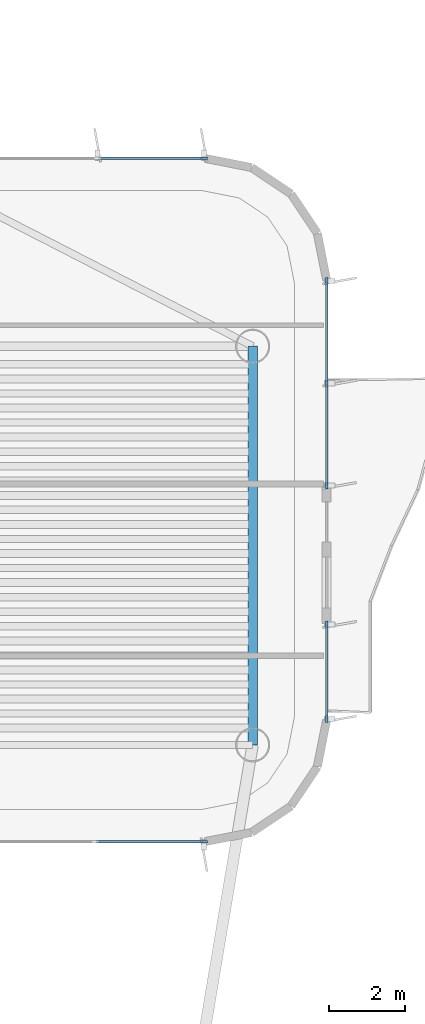
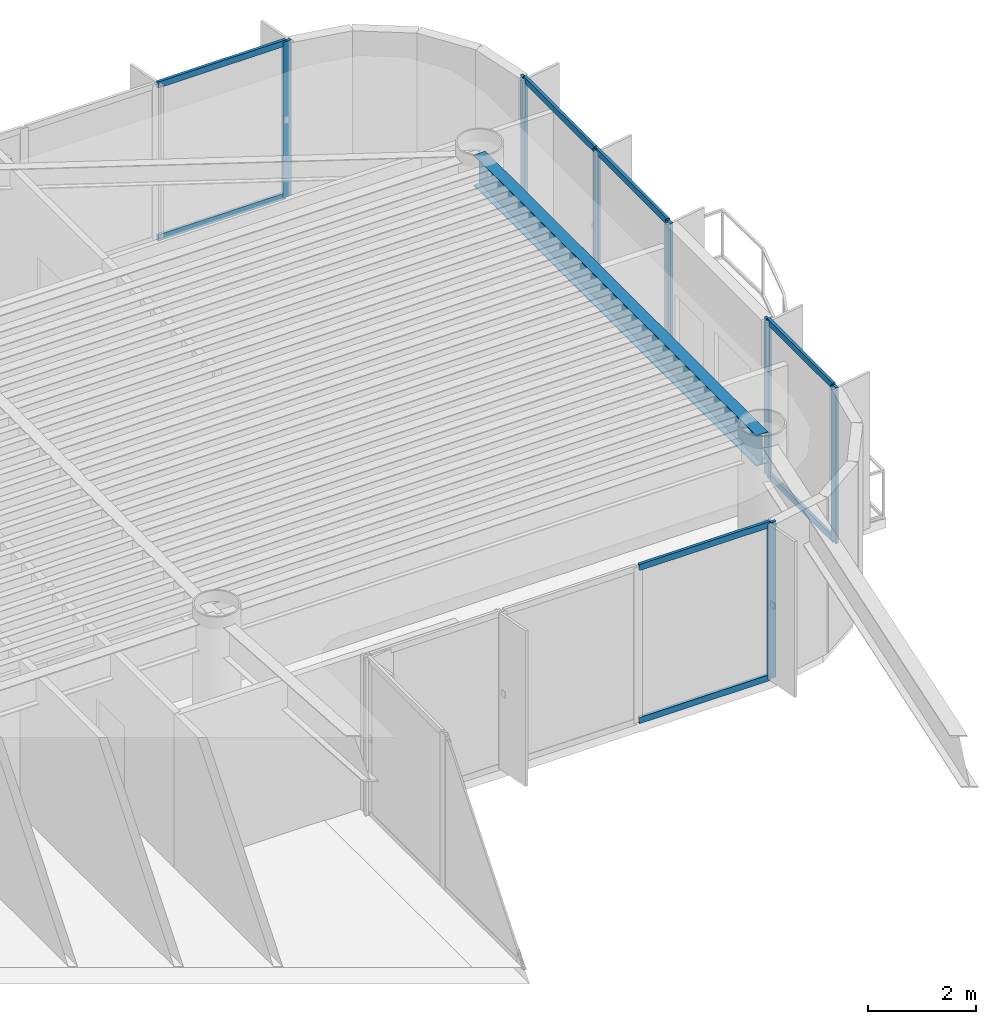
# One storey, part 8 of 15: 17 members, 1 beam, 4 elements without a shape of their own.
"""IFC4 building model written with IfcOpenShell, lengths in metres."""

import ifcopenshell
import ifcopenshell.guid

model = None  # the IFC model being written
_history = None  # IfcOwnerHistory: only IFC2X3 demands one
_inside = {}  # id of a spatial element -> (the spatial element, [elements in it])
_under = {}  # id of a project, library or spatial element -> (it, [spatial elements below it])
_declared = {}  # id of a project -> (the project, [libraries it declares])
_typed = {}  # id of a type object -> (the type object, [elements of that type])
_made_of = {}  # id of a material, layer set ... -> (it, [elements and type objects made of it])


def new_model(schema):
    """Start an empty IFC model of exactly this schema.

    Asked for "IFC4X3", IfcOpenShell would pick the latest addendum, in which some entities
    have other attributes; the version numbers below select the first issue.
    IFC2X3 requires an IfcOwnerHistory on every rooted entity: one is made here for all.
    """
    global model, _history
    if schema == "IFC4X3":
        model = ifcopenshell.file(schema_version=(4, 3, 0, 0))
    else:
        model = ifcopenshell.file(schema=schema)
    _inside.clear()
    _under.clear()
    _declared.clear()
    _typed.clear()
    _made_of.clear()
    _history = None
    if model.schema == "IFC2X3":
        org = make("IfcOrganization", Name="unknown")
        user = make(
            "IfcPersonAndOrganization",
            ThePerson=make("IfcPerson", FamilyName="unknown"),
            TheOrganization=org,
        )
        app = make(
            "IfcApplication",
            ApplicationDeveloper=org,
            Version="unknown",
            ApplicationFullName="unknown",
            ApplicationIdentifier="unknown",
        )
        _history = make(
            "IfcOwnerHistory",
            OwningUser=user,
            OwningApplication=app,
            ChangeAction="ADDED",
            CreationDate=0,
        )
    return model


def make(cls, **values):
    """One entity of the class cls with the attributes given. An attribute that is None is left unset."""
    return model.create_entity(
        cls, **{name: value for name, value in values.items() if value is not None}
    )


def rooted(cls, **values):
    """An entity with a GlobalId (a new one), such as an element, a storey or a relation."""
    return make(cls, GlobalId=ifcopenshell.guid.new(), OwnerHistory=_history, **values)


def si_unit(unit_type, name, prefix=None):
    """IfcSIUnit, for example si_unit("LENGTHUNIT", "METRE", prefix="MILLI")."""
    return make("IfcSIUnit", UnitType=unit_type, Prefix=prefix, Name=name)


def assignment(units):
    """IfcUnitAssignment: the units of a project."""
    return None if units is None else make("IfcUnitAssignment", Units=units)


def point(xyz):
    """IfcCartesianPoint."""
    return None if xyz is None else make("IfcCartesianPoint", Coordinates=xyz)


def direction(xyz):
    """IfcDirection."""
    return None if xyz is None else make("IfcDirection", DirectionRatios=xyz)


def frame(location, z_axis=None, x_axis=None):
    """IfcAxis2Placement3D, a coordinate frame: its origin and axes. An axis left out is left unset."""
    return make(
        "IfcAxis2Placement3D",
        Location=point(location),
        Axis=direction(z_axis),
        RefDirection=direction(x_axis),
    )


def frame_2d(location, x_axis=None):
    """IfcAxis2Placement2D, a coordinate frame in the plane: its origin and x axis."""
    return make(
        "IfcAxis2Placement2D", Location=point(location), RefDirection=direction(x_axis)
    )


def origin():
    """The frame at (0, 0, 0) with its axes left unset."""
    return frame((0.0, 0.0, 0.0))


def origin_2d():
    """The frame at (0, 0) in the plane with its x axis left unset."""
    return frame_2d((0.0, 0.0))


def place(relative_to, where):
    """IfcLocalPlacement: puts the frame where relative to a parent placement (None: the world)."""
    return make(
        "IfcLocalPlacement", PlacementRelTo=relative_to, RelativePlacement=where
    )


def context(
    kind, dimensions, precision=None, world=None, true_north=None, identifier=None
):
    """IfcGeometricRepresentationContext, for example the 3D "Model" context."""
    return make(
        "IfcGeometricRepresentationContext",
        ContextIdentifier=identifier,
        ContextType=kind,
        CoordinateSpaceDimension=dimensions,
        Precision=precision,
        WorldCoordinateSystem=world,
        TrueNorth=true_north,
    )


def subcontext(parent, identifier, kind, view, scale=None):
    """IfcGeometricRepresentationSubContext, for example "Body" below "Model"."""
    return make(
        "IfcGeometricRepresentationSubContext",
        ContextIdentifier=identifier,
        ContextType=kind,
        ParentContext=parent,
        TargetScale=scale,
        TargetView=view,
    )


def project(units=None, contexts=None):
    """IfcProject with its units and contexts."""
    return rooted(
        "IfcProject",
        Name="project",
        RepresentationContexts=contexts,
        UnitsInContext=assignment(units),
    )


def spatial(cls, under=None, at=None, **own):
    """A site, building, storey or space (cls), placed at a placement, below another one or the project."""
    s = rooted(cls, ObjectPlacement=at, **own)
    if under is not None:
        _under.setdefault(under.id(), (under, []))[1].append(s)
    return s


def profile(cls, at=None, kind="AREA", **sizes):
    """A parametric profile (cls). Its sizes go by their IFC names, for example OverallWidth=200.0."""
    return make(cls, ProfileType=kind, Position=at, **sizes)


def rectangle(**sizes):
    """IfcRectangleProfileDef."""
    return profile("IfcRectangleProfileDef", **sizes)


def i_section(**sizes):
    """IfcIShapeProfileDef."""
    return profile("IfcIShapeProfileDef", **sizes)


def extrude(swept, where, along, depth):
    """IfcExtrudedAreaSolid: the profile swept, set in the frame where, extruded along a direction by depth."""
    return make(
        "IfcExtrudedAreaSolid",
        SweptArea=swept,
        Position=where,
        ExtrudedDirection=direction(along),
        Depth=depth,
    )


def shape(context_of_items, identifier, shape_type, items):
    """IfcShapeRepresentation: the items that make up one representation, for example the "Body"."""
    return make(
        "IfcShapeRepresentation",
        ContextOfItems=context_of_items,
        RepresentationIdentifier=identifier,
        RepresentationType=shape_type,
        Items=items,
    )


def source(mapping_origin, context_of_items, identifier, shape_type, items):
    """IfcRepresentationMap: a shape defined once, which mapped items show again and again."""
    return make(
        "IfcRepresentationMap",
        MappingOrigin=mapping_origin,
        MappedRepresentation=shape(context_of_items, identifier, shape_type, items),
    )


def transform(
    local_origin,
    x_axis=None,
    y_axis=None,
    z_axis=None,
    scale=None,
    scale2=None,
    scale3=None,
    uniform=True,
):
    """IfcCartesianTransformationOperator3D, or its non-uniform kind. x_axis, y_axis, z_axis: its Axis1, 2, 3."""
    if uniform:
        return make(
            "IfcCartesianTransformationOperator3D",
            Axis1=direction(x_axis),
            Axis2=direction(y_axis),
            LocalOrigin=point(local_origin),
            Scale=scale,
            Axis3=direction(z_axis),
        )
    return make(
        "IfcCartesianTransformationOperator3DnonUniform",
        Axis1=direction(x_axis),
        Axis2=direction(y_axis),
        LocalOrigin=point(local_origin),
        Scale=scale,
        Axis3=direction(z_axis),
        Scale2=scale2,
        Scale3=scale3,
    )


def mapped(mapping_source, mapping_target):
    """IfcMappedItem: shows the shape of a source again, moved by a transform."""
    return make(
        "IfcMappedItem", MappingSource=mapping_source, MappingTarget=mapping_target
    )


def material(Name=None, Category=None):
    """IfcMaterial."""
    return make("IfcMaterial", Name=Name, Category=Category)


def layer(
    of_material, thickness, ventilated=None, Name=None, Category=None, Priority=None
):
    """IfcMaterialLayer: one layer of a wall or slab, of a material (None: an air gap)."""
    return make(
        "IfcMaterialLayer",
        Material=of_material,
        LayerThickness=thickness,
        IsVentilated=ventilated,
        Name=Name,
        Category=Category,
        Priority=Priority,
    )


def layer_set(layers, Name=None):
    """IfcMaterialLayerSet."""
    return make("IfcMaterialLayerSet", MaterialLayers=layers, LayerSetName=Name)


def material_profile(
    of_material, cross_section, Name=None, Category=None, Priority=None
):
    """IfcMaterialProfile: a cross section and its material."""
    return make(
        "IfcMaterialProfile",
        Name=Name,
        Material=of_material,
        Profile=cross_section,
        Priority=Priority,
        Category=Category,
    )


def profile_set(profiles, Name=None, composite=None):
    """IfcMaterialProfileSet."""
    return make(
        "IfcMaterialProfileSet",
        Name=Name,
        MaterialProfiles=profiles,
        CompositeProfile=composite,
    )


def made_of(thing, what):
    """Note that an element or type object is made of a material, layer set ...; save() writes the relation."""
    if what is not None:
        _made_of.setdefault(what.id(), (what, []))[1].append(thing)
    return thing


def type_object(cls, material=None, **own):
    """A type object (cls), such as IfcWallType, which elements share."""
    return made_of(rooted(cls, **own), material)


def element(
    cls,
    number,
    at=None,
    inside=None,
    cuts=None,
    type_object=None,
    material=None,
    context=None,
    identifier="Body",
    shape_type=None,
    held_by="IfcProductDefinitionShape",
    body=None,
    shapes=None,
    **own,
):
    """One element of the class cls, such as IfcWall. Its Tag is "e" and its number.

    at: its placement. inside: the storey or other place that contains it. cuts: it is an
    opening in that element (IfcRelVoidsElement). A single representation is given by context,
    identifier, shape_type and body (its items); several are given by shapes. held_by: the class
    of the entity that holds the representations. save() writes the other relations.
    """
    e = rooted(cls, Tag="e%d" % number, ObjectPlacement=at, **own)
    if body is not None:
        shapes = [shape(context, identifier, shape_type, body)]
    if shapes is not None:
        e.Representation = make(held_by, Representations=shapes)
    if inside is not None:
        _inside.setdefault(inside.id(), (inside, []))[1].append(e)
    if cuts is not None:
        rooted(
            "IfcRelVoidsElement", RelatingBuildingElement=cuts, RelatedOpeningElement=e
        )
    if type_object is not None:
        _typed.setdefault(type_object.id(), (type_object, []))[1].append(e)
    return made_of(e, material)


def aggregate(whole, parts):
    """IfcRelAggregates: a whole, such as a stair, and the parts it consists of."""
    return rooted("IfcRelAggregates", RelatingObject=whole, RelatedObjects=parts)


def save(model, path):
    """Write the relations noted so far, then the file.

    IfcRelAggregates (storeys below a building ...), IfcRelContainedInSpatialStructure (elements
    in a storey), IfcRelDefinesByType, IfcRelAssociatesMaterial and IfcRelDeclares: one each for
    every whole, place, type object, material and project.
    """
    for whole, parts in _under.values():
        aggregate(whole, parts)
    for where, things in _inside.values():
        rooted(
            "IfcRelContainedInSpatialStructure",
            RelatedElements=things,
            RelatingStructure=where,
        )
    for kind, things in _typed.values():
        rooted("IfcRelDefinesByType", RelatedObjects=things, RelatingType=kind)
    for what, things in _made_of.values():
        rooted("IfcRelAssociatesMaterial", RelatedObjects=things, RelatingMaterial=what)
    for by, libraries in _declared.values():
        rooted("IfcRelDeclares", RelatingContext=by, RelatedDefinitions=libraries)
    model.write(path)


model = new_model("IFC4")

# Units and contexts
model_context = context("Model", 3, precision=1e-05, world=origin(), true_north=direction((0.0, 1.0)))
body_context = subcontext(model_context, "Body", "Model", "MODEL_VIEW")
ifc_project = project(units=[si_unit("LENGTHUNIT", "METRE"), si_unit("AREAUNIT", "SQUARE_METRE"), si_unit("VOLUMEUNIT", "CUBIC_METRE"), si_unit("PLANEANGLEUNIT", "RADIAN"), si_unit("MASSUNIT", "GRAM", prefix="KILO")], contexts=[model_context])

# Site, building, storey
site_placement = place(None, origin())
site = spatial("IfcSite", under=ifc_project, at=site_placement, CompositionType="ELEMENT")
building_placement = place(site_placement, origin())
building = spatial("IfcBuilding", under=site, at=building_placement, Name="Brelvock Crest Care Tower", CompositionType="ELEMENT")
storey_placement = place(building_placement, frame((0.0, 0.0, 264.60009765625)))
storey = spatial("IfcBuildingStorey", under=building, at=storey_placement, Name="L67", CompositionType="ELEMENT", Elevation=264.60009765625)

# Beam
ifc_material_1 = material(Name="Steel Grade 350", Category="steel")
ifc_material_profile_1 = material_profile(ifc_material_1, i_section(OverallWidth=0.25, OverallDepth=0.699951171875, WebThickness=0.011962890625, FlangeThickness=0.02001953125, at=origin_2d()), Name="700WB150")
ifc_profile_set_1 = profile_set([ifc_material_profile_1], Name="Steel Grade 350")
beam_type = type_object("IfcBeamType", Name="BM-G4", PredefinedType="BEAM", material=ifc_profile_set_1)
shared_shape_1 = source(origin(), body_context, "Body", "SweptSolid", [
    extrude(i_section(OverallWidth=0.25, OverallDepth=0.699951171875, WebThickness=0.011962890625, FlangeThickness=0.02001953125, at=origin_2d()), origin(), (0.0, 0.0, 1.0), 10.5),
])
beam_placement = place(storey_placement, frame((52.35009765625, 43.949951171875, 3.179931640625), z_axis=(0.0, 1.0, 0.0), x_axis=(-1.0, 0.0, 0.0)))
element("IfcBeam", 1, at=beam_placement, inside=storey, type_object=beam_type, Name="BM-TWR-L67-02", PredefinedType="BEAM", context=body_context, shape_type="MappedRepresentation", body=[
    mapped(shared_shape_1, transform((0.0, 0.0, 0.0), x_axis=(1.0, 0.0, 0.0), y_axis=(0.0, 1.0, 0.0), z_axis=(0.0, 0.0, 1.0), scale=1.0)),
])

# Curtain wall, member
ifc_material_2 = material(Name="Dark Glass Double Glazed Low-E", Category="glass")
ifc_layer = layer(ifc_material_2, 0.239990234375, Name="CWS-5")
ifc_layer_set = layer_set([ifc_layer], Name="Dark Glass Double Glazed Low-E")
curtain_wall_type = type_object("IfcCurtainWallType", Name="CWS-5", PredefinedType="NOTDEFINED", material=ifc_layer_set)
curtain_wall_1_placement = place(storey_placement, origin())
curtain_wall_1 = element("IfcCurtainWall", 2, at=curtain_wall_1_placement, inside=storey, type_object=curtain_wall_type, Name="L67 Curtain Wall E34", PredefinedType="NOTDEFINED")
ifc_material_3 = material(Name="Aluminium 6063-T6", Category="aluminium")
ifc_material_profile_2 = material_profile(ifc_material_3, rectangle(XDim=0.06005859375, YDim=0.179931640625, at=origin_2d()), Name="ALU60x180")
ifc_profile_set_2 = profile_set([ifc_material_profile_2], Name="Aluminium 6063-T6")
member_type_1 = type_object("IfcMemberType", Name="CWM-2", PredefinedType="MULLION", material=ifc_profile_set_2)
shared_shape_2 = source(origin(), body_context, "Body", "SweptSolid", [
    extrude(rectangle(XDim=0.06005859375, YDim=0.179931640625, at=origin_2d()), origin(), (0.0, 0.0, 1.0), 3.52978515625),
])
member_1_placement = place(storey_placement, frame((51.070068359375, 59.39990234375, 0.0), z_axis=(0.0, 0.0, 1.0), x_axis=(0.0, 1.0, 0.0)))
member_1 = element("IfcMember", 3, at=member_1_placement, type_object=member_type_1, Name="CW-5 mullion 4", PredefinedType="MULLION", context=body_context, shape_type="MappedRepresentation", body=[
    mapped(shared_shape_2, transform((0.0, 0.0, 0.0), x_axis=(1.0, 0.0, 0.0), y_axis=(0.0, 1.0, 0.0), z_axis=(0.0, 0.0, 1.0), scale=1.0)),
])

# Curtain wall, members
curtain_wall_2_placement = place(storey_placement, origin())
curtain_wall_2 = element("IfcCurtainWall", 4, at=curtain_wall_2_placement, inside=storey, type_object=curtain_wall_type, Name="L67 Curtain Wall E39A", PredefinedType="NOTDEFINED")
member_2_placement = place(storey_placement, frame((54.300048828125, 56.169921875, 0.0), z_axis=(0.0, 0.0, 1.0), x_axis=(1.0, 0.0, 0.0)))
member_2 = element("IfcMember", 5, at=member_2_placement, type_object=member_type_1, Name="CW-5 mullion 1", PredefinedType="MULLION", context=body_context, shape_type="MappedRepresentation", body=[
    mapped(shared_shape_2, transform((0.0, 0.0, 0.0), x_axis=(1.0, 0.0, 0.0), y_axis=(0.0, 1.0, 0.0), z_axis=(0.0, 0.0, 1.0), scale=1.0)),
])
member_3_placement = place(storey_placement, frame((54.300048828125, 53.47509765625, 0.0), z_axis=(0.0, 0.0, 1.0), x_axis=(1.0, 0.0, 0.0)))
member_3 = element("IfcMember", 6, at=member_3_placement, type_object=member_type_1, Name="CW-5 mullion 2", PredefinedType="MULLION", context=body_context, shape_type="MappedRepresentation", body=[
    mapped(shared_shape_2, transform((0.0, 0.0, 0.0), x_axis=(1.0, 0.0, 0.0), y_axis=(0.0, 1.0, 0.0), z_axis=(0.0, 0.0, 1.0), scale=1.0)),
])
member_4_placement = place(storey_placement, frame((54.300048828125, 50.780029296875, 0.0), z_axis=(0.0, 0.0, 1.0), x_axis=(1.0, 0.0, 0.0)))
member_4 = element("IfcMember", 7, at=member_4_placement, type_object=member_type_1, Name="CW-5 mullion 3", PredefinedType="MULLION", context=body_context, shape_type="MappedRepresentation", body=[
    mapped(shared_shape_2, transform((0.0, 0.0, 0.0), x_axis=(1.0, 0.0, 0.0), y_axis=(0.0, 1.0, 0.0), z_axis=(0.0, 0.0, 1.0), scale=1.0)),
])

curtain_wall_3_placement = place(storey_placement, origin())
curtain_wall_3 = element("IfcCurtainWall", 8, at=curtain_wall_3_placement, inside=storey, type_object=curtain_wall_type, Name="L67 Curtain Wall E39B", PredefinedType="NOTDEFINED")
member_5_placement = place(storey_placement, frame((54.300048828125, 47.1201171875, 0.0), z_axis=(0.0, 0.0, 1.0), x_axis=(1.0, 0.0, 0.0)))
member_5 = element("IfcMember", 9, at=member_5_placement, type_object=member_type_1, Name="CW-5 mullion 1", PredefinedType="MULLION", context=body_context, shape_type="MappedRepresentation", body=[
    mapped(shared_shape_2, transform((0.0, 0.0, 0.0), x_axis=(1.0, 0.0, 0.0), y_axis=(0.0, 1.0, 0.0), z_axis=(0.0, 0.0, 1.0), scale=1.0)),
])
member_6_placement = place(storey_placement, frame((54.300048828125, 44.6298828125, 0.0), z_axis=(0.0, 0.0, 1.0), x_axis=(1.0, 0.0, 0.0)))
member_6 = element("IfcMember", 10, at=member_6_placement, type_object=member_type_1, Name="CW-5 mullion 2", PredefinedType="MULLION", context=body_context, shape_type="MappedRepresentation", body=[
    mapped(shared_shape_2, transform((0.0, 0.0, 0.0), x_axis=(1.0, 0.0, 0.0), y_axis=(0.0, 1.0, 0.0), z_axis=(0.0, 0.0, 1.0), scale=1.0)),
])

curtain_wall_4_placement = place(storey_placement, origin())
curtain_wall_4 = element("IfcCurtainWall", 11, at=curtain_wall_4_placement, inside=storey, type_object=curtain_wall_type, Name="L67 Curtain Wall E44", PredefinedType="NOTDEFINED")
member_7_placement = place(storey_placement, frame((51.070068359375, 41.39990234375, 0.0), z_axis=(0.0, 0.0, 1.0), x_axis=(0.0, -1.0, 0.0)))
member_7 = element("IfcMember", 12, at=member_7_placement, type_object=member_type_1, Name="CW-5 mullion 1", PredefinedType="MULLION", context=body_context, shape_type="MappedRepresentation", body=[
    mapped(shared_shape_2, transform((0.0, 0.0, 0.0), x_axis=(1.0, 0.0, 0.0), y_axis=(0.0, 1.0, 0.0), z_axis=(0.0, 0.0, 1.0), scale=1.0)),
])
ifc_material_profile_3 = material_profile(ifc_material_3, rectangle(XDim=0.06005859375, YDim=0.139892578125, at=origin_2d()), Name="ALU60x140")
ifc_profile_set_3 = profile_set([ifc_material_profile_3], Name="Aluminium 6063-T6")
member_type_2 = type_object("IfcMemberType", Name="CWT-2", PredefinedType="USERDEFINED", material=ifc_profile_set_3)
shared_shape_3 = source(origin(), body_context, "Body", "SweptSolid", [
    extrude(rectangle(XDim=0.06005859375, YDim=0.139892578125, at=origin_2d()), origin(), (0.0, 0.0, 1.0), 2.81005859375),
])
member_8_placement = place(storey_placement, frame((51.0400390625, 41.39990234375, 0.02978515625), z_axis=(-1.0, 0.0, 0.0), x_axis=(0.0, -1.0, 0.0)))
member_8 = element("IfcMember", 13, at=member_8_placement, type_object=member_type_2, Name="CW-5 transom 1.1", ObjectType="TRANSOM", PredefinedType="USERDEFINED", context=body_context, shape_type="MappedRepresentation", body=[
    mapped(shared_shape_3, transform((0.0, 0.0, 0.0), x_axis=(1.0, 0.0, 0.0), y_axis=(0.0, 1.0, 0.0), z_axis=(0.0, 0.0, 1.0), scale=1.0)),
])
member_9_placement = place(storey_placement, frame((51.0400390625, 41.39990234375, 3.5), z_axis=(-1.0, 0.0, 0.0), x_axis=(0.0, -1.0, 0.0)))
member_9 = element("IfcMember", 14, at=member_9_placement, type_object=member_type_2, Name="CW-5 transom 1.2", ObjectType="TRANSOM", PredefinedType="USERDEFINED", context=body_context, shape_type="MappedRepresentation", body=[
    mapped(shared_shape_3, transform((0.0, 0.0, 0.0), x_axis=(1.0, 0.0, 0.0), y_axis=(0.0, 1.0, 0.0), z_axis=(0.0, 0.0, 1.0), scale=1.0)),
])
aggregate(curtain_wall_4, [member_7, member_8, member_9])

# Member
shared_shape_4 = source(origin(), body_context, "Body", "SweptSolid", [
    extrude(rectangle(XDim=0.06005859375, YDim=0.139892578125, at=origin_2d()), origin(), (0.0, 0.0, 1.0), 2.743408203125),
])
member_10_placement = place(storey_placement, frame((48.296630859375, 59.39990234375, 0.02978515625), z_axis=(1.0, 0.0, 0.0), x_axis=(0.0, 1.0, 0.0)))
member_10 = element("IfcMember", 15, at=member_10_placement, type_object=member_type_2, Name="CW-5 transom 3.1", ObjectType="TRANSOM", PredefinedType="USERDEFINED", context=body_context, shape_type="MappedRepresentation", body=[
    mapped(shared_shape_4, transform((0.0, 0.0, 0.0), x_axis=(1.0, 0.0, 0.0), y_axis=(0.0, 1.0, 0.0), z_axis=(0.0, 0.0, 1.0), scale=1.0)),
])

member_11_placement = place(storey_placement, frame((48.296630859375, 59.39990234375, 3.5), z_axis=(1.0, 0.0, 0.0), x_axis=(0.0, 1.0, 0.0)))
member_11 = element("IfcMember", 16, at=member_11_placement, type_object=member_type_2, Name="CW-5 transom 3.2", ObjectType="TRANSOM", PredefinedType="USERDEFINED", context=body_context, shape_type="MappedRepresentation", body=[
    mapped(shared_shape_4, transform((0.0, 0.0, 0.0), x_axis=(1.0, 0.0, 0.0), y_axis=(0.0, 1.0, 0.0), z_axis=(0.0, 0.0, 1.0), scale=1.0)),
])

aggregate(curtain_wall_1, [member_1, member_10, member_11])

shared_shape_5 = source(origin(), body_context, "Body", "SweptSolid", [
    extrude(rectangle(XDim=0.06005859375, YDim=0.139892578125, at=origin_2d()), origin(), (0.0, 0.0, 1.0), 2.43017578125),
])
member_12_placement = place(storey_placement, frame((54.300048828125, 47.090087890625, 0.02978515625), z_axis=(0.0, -1.0, 0.0), x_axis=(1.0, 0.0, 0.0)))
member_12 = element("IfcMember", 17, at=member_12_placement, type_object=member_type_2, Name="CW-5 transom 1.1", ObjectType="TRANSOM", PredefinedType="USERDEFINED", context=body_context, shape_type="MappedRepresentation", body=[
    mapped(shared_shape_5, transform((0.0, 0.0, 0.0), x_axis=(1.0, 0.0, 0.0), y_axis=(0.0, 1.0, 0.0), z_axis=(0.0, 0.0, 1.0), scale=1.0)),
])

member_13_placement = place(storey_placement, frame((54.300048828125, 47.090087890625, 3.5), z_axis=(0.0, -1.0, 0.0), x_axis=(1.0, 0.0, 0.0)))
member_13 = element("IfcMember", 18, at=member_13_placement, type_object=member_type_2, Name="CW-5 transom 1.2", ObjectType="TRANSOM", PredefinedType="USERDEFINED", context=body_context, shape_type="MappedRepresentation", body=[
    mapped(shared_shape_5, transform((0.0, 0.0, 0.0), x_axis=(1.0, 0.0, 0.0), y_axis=(0.0, 1.0, 0.0), z_axis=(0.0, 0.0, 1.0), scale=1.0)),
])

aggregate(curtain_wall_3, [member_5, member_6, member_12, member_13])

shared_shape_6 = source(origin(), body_context, "Body", "SweptSolid", [
    extrude(rectangle(XDim=0.06005859375, YDim=0.139892578125, at=origin_2d()), origin(), (0.0, 0.0, 1.0), 2.635009765625),
])
member_14_placement = place(storey_placement, frame((54.300048828125, 56.139892578125, 0.02978515625), z_axis=(0.0, -1.0, 0.0), x_axis=(1.0, 0.0, 0.0)))
member_14 = element("IfcMember", 19, at=member_14_placement, type_object=member_type_2, Name="CW-5 transom 1.1", ObjectType="TRANSOM", PredefinedType="USERDEFINED", context=body_context, shape_type="MappedRepresentation", body=[
    mapped(shared_shape_6, transform((0.0, 0.0, 0.0), x_axis=(1.0, 0.0, 0.0), y_axis=(0.0, 1.0, 0.0), z_axis=(0.0, 0.0, 1.0), scale=1.0)),
])

member_15_placement = place(storey_placement, frame((54.300048828125, 56.139892578125, 3.5), z_axis=(0.0, -1.0, 0.0), x_axis=(1.0, 0.0, 0.0)))
member_15 = element("IfcMember", 20, at=member_15_placement, type_object=member_type_2, Name="CW-5 transom 1.2", ObjectType="TRANSOM", PredefinedType="USERDEFINED", context=body_context, shape_type="MappedRepresentation", body=[
    mapped(shared_shape_6, transform((0.0, 0.0, 0.0), x_axis=(1.0, 0.0, 0.0), y_axis=(0.0, 1.0, 0.0), z_axis=(0.0, 0.0, 1.0), scale=1.0)),
])

member_16_placement = place(storey_placement, frame((54.300048828125, 53.445068359375, 0.02978515625), z_axis=(0.0, -1.0, 0.0), x_axis=(1.0, 0.0, 0.0)))
member_16 = element("IfcMember", 21, at=member_16_placement, type_object=member_type_2, Name="CW-5 transom 2.1", ObjectType="TRANSOM", PredefinedType="USERDEFINED", context=body_context, shape_type="MappedRepresentation", body=[
    mapped(shared_shape_6, transform((0.0, 0.0, 0.0), x_axis=(1.0, 0.0, 0.0), y_axis=(0.0, 1.0, 0.0), z_axis=(0.0, 0.0, 1.0), scale=1.0)),
])

member_17_placement = place(storey_placement, frame((54.300048828125, 53.445068359375, 3.5), z_axis=(0.0, -1.0, 0.0), x_axis=(1.0, 0.0, 0.0)))
member_17 = element("IfcMember", 22, at=member_17_placement, type_object=member_type_2, Name="CW-5 transom 2.2", ObjectType="TRANSOM", PredefinedType="USERDEFINED", context=body_context, shape_type="MappedRepresentation", body=[
    mapped(shared_shape_6, transform((0.0, 0.0, 0.0), x_axis=(1.0, 0.0, 0.0), y_axis=(0.0, 1.0, 0.0), z_axis=(0.0, 0.0, 1.0), scale=1.0)),
])

aggregate(curtain_wall_2, [member_2, member_3, member_4, member_14, member_15, member_16, member_17])

save(model, "model.ifc")
